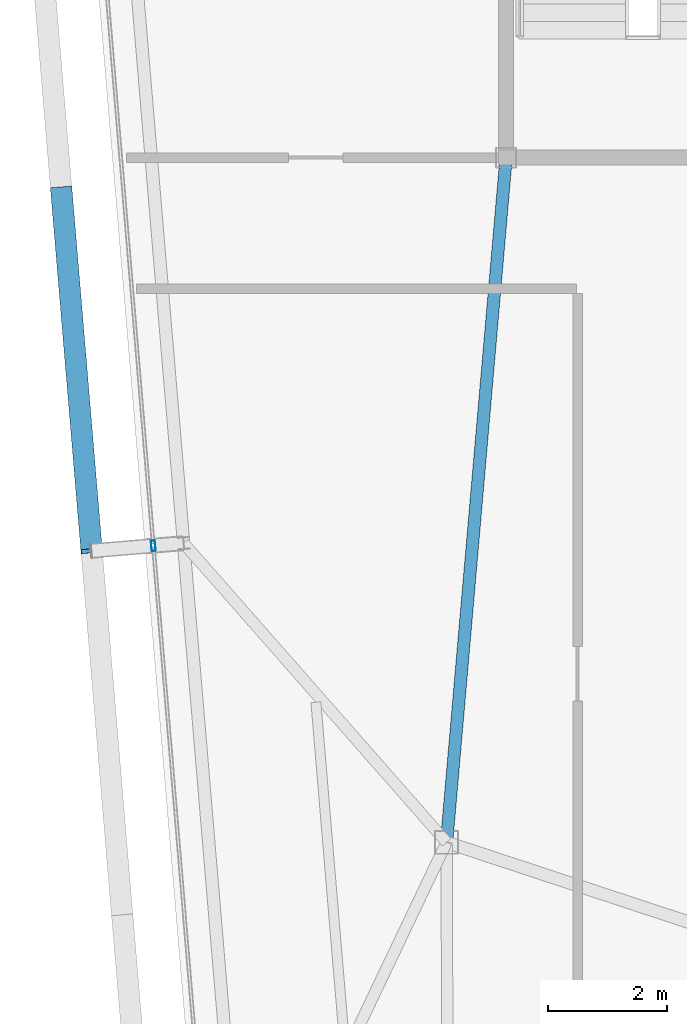
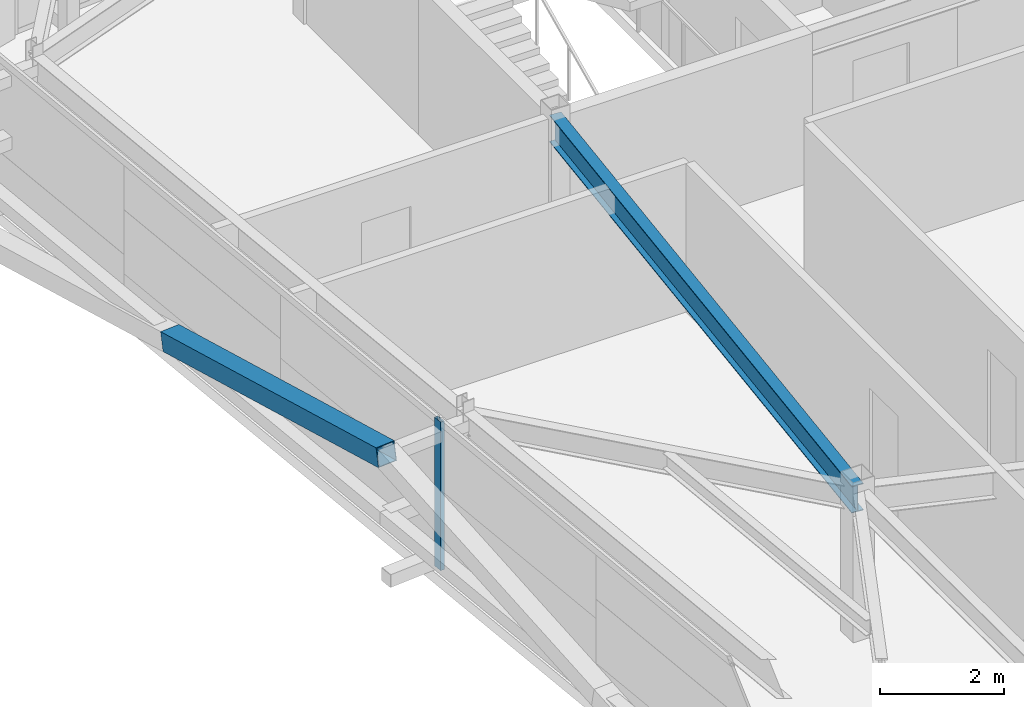
# One storey, part 12 of 39: 2 members, 1 beam, 1 element without a shape of its own.
"""IFC4 building model written with IfcOpenShell, lengths in metres."""

from ifc_helpers import new_model, si_unit, direction, frame, origin, origin_2d, place, context, subcontext, project, spatial, hollow_rectangle, i_section, extrude, source, transform, mapped, material, layer, layer_set, material_profile, profile_set, type_object, element, aggregate, save


model = new_model("IFC4")

# Units and contexts
model_context = context("Model", 3, precision=1e-05, world=origin(), true_north=direction((0.0, 1.0)))
body_context = subcontext(model_context, "Body", "Model", "MODEL_VIEW")
ifc_project = project(units=[si_unit("LENGTHUNIT", "METRE"), si_unit("AREAUNIT", "SQUARE_METRE"), si_unit("VOLUMEUNIT", "CUBIC_METRE"), si_unit("PLANEANGLEUNIT", "RADIAN"), si_unit("MASSUNIT", "GRAM", prefix="KILO")], contexts=[model_context])

# Site, building, storey
site_placement = place(None, origin())
site = spatial("IfcSite", under=ifc_project, at=site_placement, CompositionType="ELEMENT")
building_placement = place(site_placement, origin())
building = spatial("IfcBuilding", under=site, at=building_placement, Name="Taldren Reach Tower", CompositionType="ELEMENT")
storey_placement = place(building_placement, frame((0.0, 0.0, 178.85009765625)))
storey = spatial("IfcBuildingStorey", under=building, at=storey_placement, Name="L54", CompositionType="ELEMENT", Elevation=178.85009765625)

# Beam
ifc_material_1 = material(Name="Steel Gr 350 (350PLUS)", Category="steel")
ifc_material_profile_1 = material_profile(ifc_material_1, i_section(OverallWidth=0.208984375, OverallDepth=0.532958984375, WebThickness=0.01025390625, FlangeThickness=0.015625, at=origin_2d()), Name="530UB92.4")
ifc_profile_set_1 = profile_set([ifc_material_profile_1], Name="Steel Gr 350 (350PLUS)")
beam_type = type_object("IfcBeamType", Name="BM-UB530A", PredefinedType="BEAM", material=ifc_profile_set_1)
shared_shape_1 = source(origin(), body_context, "Body", "SweptSolid", [
    extrude(i_section(OverallWidth=0.208984375, OverallDepth=0.532958984375, WebThickness=0.01025390625, FlangeThickness=0.015625, at=origin_2d()), origin(), (0.0, 0.0, 1.0), 11.54345703125),
])
beam_placement = place(storey_placement, frame((19.0, 24.0, 2.663330078125), z_axis=(-0.086629616365, -0.996240588196, 0.0), x_axis=(0.996240588196, -0.086629616365, 0.0)))
element("IfcBeam", 1, at=beam_placement, inside=storey, type_object=beam_type, Name="Core-spine girder L54-SP09", PredefinedType="BEAM", context=body_context, shape_type="MappedRepresentation", body=[
    mapped(shared_shape_1, transform((0.0, 0.0, 0.0), scale=1.0)),
])

# Member
ifc_material_2 = material(Name="Steel Gr 450 (C450L0)", Category="steel")
ifc_material_profile_2 = material_profile(ifc_material_2, hollow_rectangle(XDim=0.360107421875, YDim=0.360107421875, WallThickness=0.0126953125, at=origin_2d()), Name="360x360x12.7SHS")
ifc_profile_set_2 = profile_set([ifc_material_profile_2], Name="Steel Gr 450 (C450L0)")
member_type_1 = type_object("IfcMemberType", Name="MB-EXO356", PredefinedType="BRACE", material=ifc_profile_set_2)
shared_shape_2 = source(origin(), body_context, "Body", "SweptSolid", [
    extrude(hollow_rectangle(XDim=0.360107421875, YDim=0.360107421875, WallThickness=0.0126953125, at=origin_2d()), origin(), (0.0, 0.0, 1.0), 6.2197265625),
])
member_1_placement = place(storey_placement, frame((11.52783203125, 23.47412109375, 1.434814453125), z_axis=(0.082036577282, -0.977295072332, 0.195356959394), x_axis=(0.996495340012, 0.08364829547, 0.0)))
element("IfcMember", 2, at=member_1_placement, inside=storey, type_object=member_type_1, Name="Exoskeleton Diagrid Brace B4-W2 L54", PredefinedType="BRACE", context=body_context, shape_type="MappedRepresentation", body=[
    mapped(shared_shape_2, transform((0.0, 0.0, 0.0), scale=1.0)),
])

# Curtain wall, member
ifc_material_3 = material(Name="Aluminium and Low-E Glass Unitised System", Category="aluminium")
ifc_layer = layer(ifc_material_3, 0.159912109375)
ifc_layer_set = layer_set([ifc_layer], Name="Aluminium and Low-E Glass Unitised System")
curtain_wall_type = type_object("IfcCurtainWallType", Name="CW-SYS-5", PredefinedType="NOTDEFINED", material=ifc_layer_set)
curtain_wall_placement = place(storey_placement, origin())
curtain_wall = element("IfcCurtainWall", 3, at=curtain_wall_placement, inside=storey, type_object=curtain_wall_type, Name="Unitised curtain wall CW-L54-W", PredefinedType="NOTDEFINED")
ifc_material_4 = material(Name="Anodised Aluminium 6063-T6", Category="aluminium")
ifc_material_profile_3 = material_profile(ifc_material_4, hollow_rectangle(XDim=0.070068359375, YDim=0.179931640625, WallThickness=0.00390625, at=origin_2d()), Name="ALU-180x70x4RHS")
ifc_profile_set_3 = profile_set([ifc_material_profile_3], Name="Anodised Aluminium 6063-T6")
member_type_2 = type_object("IfcMemberType", Name="CW-MUL-180", PredefinedType="MULLION", material=ifc_profile_set_3)
shared_shape_3 = source(origin(), body_context, "Body", "SweptSolid", [
    extrude(hollow_rectangle(XDim=0.070068359375, YDim=0.179931640625, WallThickness=0.00390625, at=origin_2d()), origin(), (0.0, 0.0, 1.0), 2.929931640625),
])
member_2_placement = place(storey_placement, frame((13.074462890625, 17.482421875, 0.0), z_axis=(0.0, 0.0, 1.0), x_axis=(0.996492847789, 0.083677979808, 0.0)))
member_2 = element("IfcMember", 4, at=member_2_placement, type_object=member_type_2, Name="CW-5 mullion 2", PredefinedType="MULLION", context=body_context, shape_type="MappedRepresentation", body=[
    mapped(shared_shape_3, transform((0.0, 0.0, 0.0), scale=1.0)),
])
aggregate(curtain_wall, [member_2])

save(model, "model.ifc")
